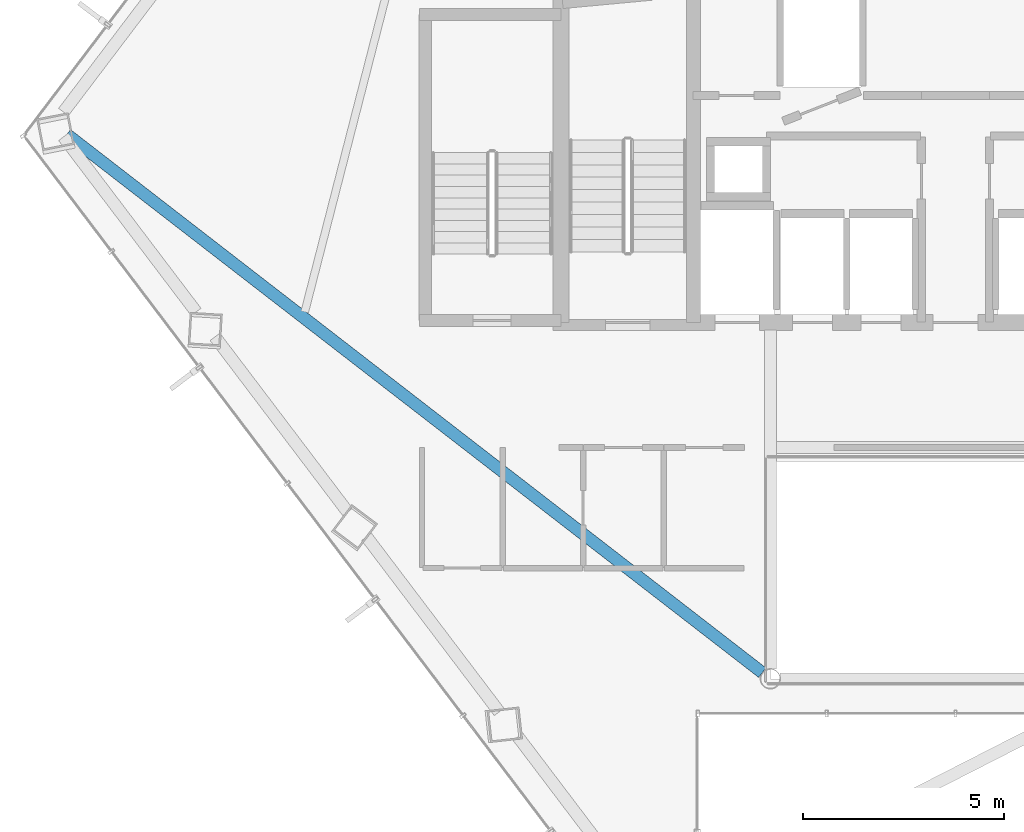
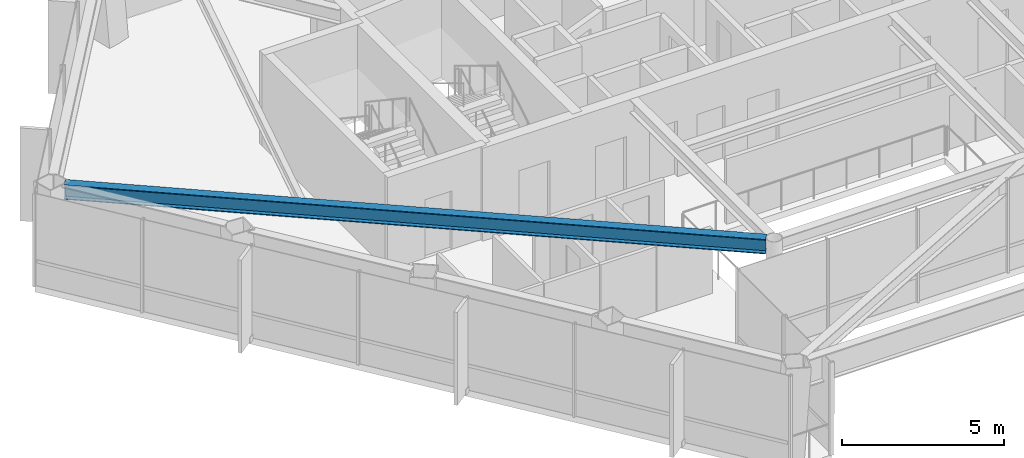
# One storey, part 5 of 30: 1 beam.
"""IFC4 building model written with IfcOpenShell, lengths in metres."""

from ifc_helpers import new_model, si_unit, direction, frame, origin, origin_2d, place, context, subcontext, project, spatial, i_section, extrude, material, material_profile, profile_set, type_object, element, save


model = new_model("IFC4")

# Units and contexts
model_context = context("Model", 3, precision=1e-05, world=origin(), true_north=direction((0.0, 1.0)))
body_context = subcontext(model_context, "Body", "Model", "MODEL_VIEW")
ifc_project = project(units=[si_unit("LENGTHUNIT", "METRE"), si_unit("AREAUNIT", "SQUARE_METRE"), si_unit("VOLUMEUNIT", "CUBIC_METRE"), si_unit("PLANEANGLEUNIT", "RADIAN"), si_unit("MASSUNIT", "GRAM", prefix="KILO")], contexts=[model_context])

# Site, building, storey
site_placement = place(None, origin())
site = spatial("IfcSite", under=ifc_project, at=site_placement, CompositionType="ELEMENT")
building_placement = place(site_placement, origin())
building = spatial("IfcBuilding", under=site, at=building_placement, Name="Zarrinselat Tower", CompositionType="ELEMENT")
storey_placement = place(building_placement, frame((0.0, 0.0, 160.820068359375)))
storey = spatial("IfcBuildingStorey", under=building, at=storey_placement, Name="L39", CompositionType="ELEMENT", Elevation=160.820068359375)

# Beam
ifc_material = material(Name="Steel S355J2", Category="steel")
ifc_material_profile = material_profile(ifc_material, i_section(OverallWidth=0.300048828125, OverallDepth=0.550048828125, WebThickness=0.014892578125, FlangeThickness=0.029052734375, at=origin_2d()), Name="HEB 550")
ifc_profile_set = profile_set([ifc_material_profile], Name="Steel S355J2")
beam_type = type_object("IfcBeamType", Name="BM-HEB550", PredefinedType="BEAM", material=ifc_profile_set)
beam_placement = place(storey_placement, frame((16.3271484375, 37.925048828125, 3.224853515625), z_axis=(0.790773264419, -0.612109176765, 0.0), x_axis=(0.612109176765, 0.790773264419, 0.0)))
element("IfcBeam", 1, at=beam_placement, inside=storey, type_object=beam_type, Name="L39 Radial Primary Girder RG06", PredefinedType="BEAM", context=body_context, shape_type="SweptSolid", body=[
    extrude(i_section(OverallWidth=0.300048828125, OverallDepth=0.550048828125, WebThickness=0.014892578125, FlangeThickness=0.029052734375, at=origin_2d()), origin(), (0.0, 0.0, 1.0), 21.845947265625),
])

save(model, "model.ifc")
